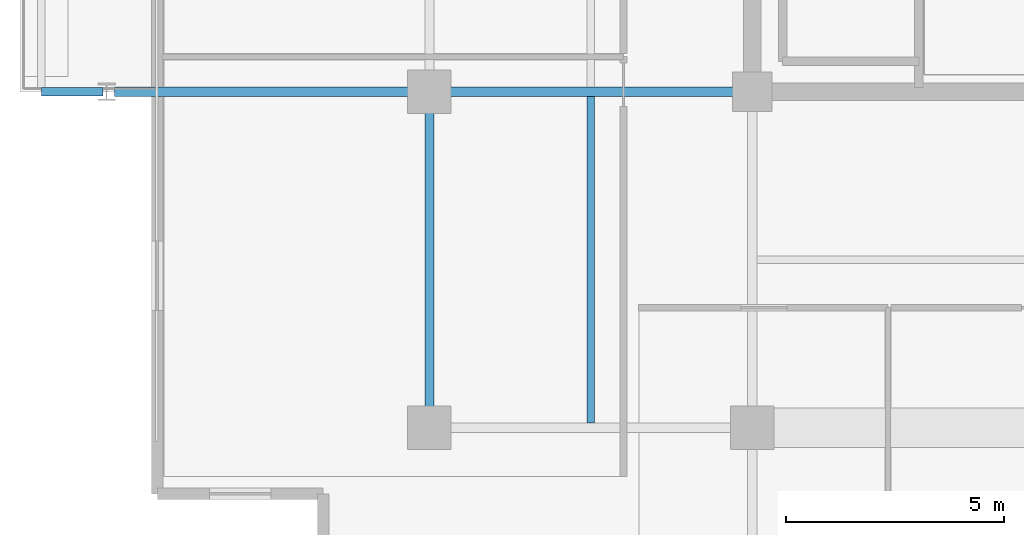
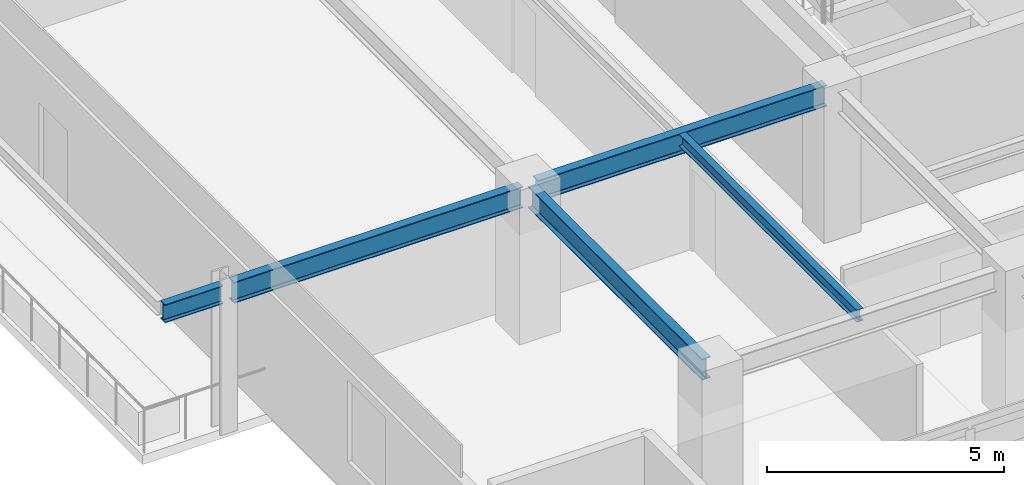
# One storey, part 3 of 20: 5 beams.
"""IFC4 building model written with IfcOpenShell, lengths in metres."""

from ifc_helpers import new_model, si_unit, direction, frame, origin, origin_2d, place, context, subcontext, project, spatial, i_section, extrude, material, material_profile, profile_set, type_object, element, save


model = new_model("IFC4")

# Units and contexts
model_context = context("Model", 3, precision=1e-05, world=origin(), true_north=direction((0.0, 1.0)))
body_context = subcontext(model_context, "Body", "Model", "MODEL_VIEW")
ifc_project = project(units=[si_unit("LENGTHUNIT", "METRE"), si_unit("AREAUNIT", "SQUARE_METRE"), si_unit("VOLUMEUNIT", "CUBIC_METRE"), si_unit("PLANEANGLEUNIT", "RADIAN"), si_unit("MASSUNIT", "GRAM", prefix="KILO")], contexts=[model_context])

# Site, building, storey
site_placement = place(None, origin())
site = spatial("IfcSite", under=ifc_project, at=site_placement, CompositionType="ELEMENT")
building_placement = place(site_placement, origin())
building = spatial("IfcBuilding", under=site, at=building_placement, Name="Kovane Verandah Tower", CompositionType="ELEMENT")
storey_placement = place(building_placement, frame((0.0, 0.0, 330.800048828125)))
storey = spatial("IfcBuildingStorey", under=building, at=storey_placement, Name="L77", CompositionType="ELEMENT", Elevation=330.800048828125)

# Beams
ifc_material = material(Name="Steel S355", Category="steel")
ifc_material_profile_1 = material_profile(ifc_material, i_section(OverallWidth=0.2119140625, OverallDepth=0.54443359375, WebThickness=0.0126953125, FlangeThickness=0.021240234375, FilletRadius=0.0126953125, at=origin_2d()), Name="UB533x210x122")
ifc_profile_set_1 = profile_set([ifc_material_profile_1], Name="Steel S355")
beam_type_1 = type_object("IfcBeamType", Name="BM-UB533x122", PredefinedType="BEAM", material=ifc_profile_set_1)
beam_1_placement = place(storey_placement, frame((21.60009765625, 10.97998046875, 3.5126953125), z_axis=(0.0, 1.0, 0.0), x_axis=(-1.0, 0.0, 0.0)))
element("IfcBeam", 1, at=beam_1_placement, inside=storey, type_object=beam_type_1, Name="L77 Primary Tower Girder G-RW1", PredefinedType="BEAM", context=body_context, shape_type="SweptSolid", body=[
    extrude(i_section(OverallWidth=0.2119140625, OverallDepth=0.54443359375, WebThickness=0.0126953125, FlangeThickness=0.021240234375, FilletRadius=0.0126953125, at=origin_2d()), origin(), (0.0, 0.0, 1.0), 7.340087890625),
])
for number, where, z_axis, x_axis, name in (
    (2, (28.820068359375, 18.5, 3.5126953125), (-1.0, 0.0, 0.0), (0.0, -1.0, 0.0), "L77 Primary Tower Girder G-W1"),
    (3, (21.419921875, 18.5, 3.48779296875), (-1.0, 0.0, 0.0), (0.0, -1.0, 0.0), "L77 Primary Tower Girder G-VW1"),
):
    element("IfcBeam", number, at=place(storey_placement, frame(where, z_axis=z_axis, x_axis=x_axis)), inside=storey, type_object=beam_type_1, Name=name, PredefinedType="BEAM", context=body_context, shape_type="SweptSolid", body=[
        extrude(i_section(OverallWidth=0.2119140625, OverallDepth=0.54443359375, WebThickness=0.0126953125, FlangeThickness=0.021240234375, FilletRadius=0.0126953125, at=origin_2d()), origin(), (0.0, 0.0, 1.0), 7.0400390625),
    ])
ifc_material_profile_2 = material_profile(ifc_material, i_section(OverallWidth=0.1669921875, OverallDepth=0.310302734375, WebThickness=0.0078125, FlangeThickness=0.013671875, FilletRadius=0.0087890625, at=origin_2d()), Name="UB305x165x54")
ifc_profile_set_2 = profile_set([ifc_material_profile_2], Name="Steel S355")
beam_type_2 = type_object("IfcBeamType", Name="JST-UB305x54", PredefinedType="JOIST", material=ifc_profile_set_2)
beam_2_placement = place(storey_placement, frame((25.300048828125, 10.904052734375, 3.629638671875), z_axis=(0.0, 1.0, 0.0), x_axis=(-1.0, 0.0, 0.0)))
element("IfcBeam", 4, at=beam_2_placement, inside=storey, type_object=beam_type_2, Name="L77 Secondary Composite Joist J-SW1", PredefinedType="JOIST", context=body_context, shape_type="SweptSolid", body=[
    extrude(i_section(OverallWidth=0.1669921875, OverallDepth=0.310302734375, WebThickness=0.0078125, FlangeThickness=0.013671875, FilletRadius=0.0087890625, at=origin_2d()), origin(), (0.0, 0.0, 1.0), 7.491943359375),
])
ifc_material_profile_3 = material_profile(ifc_material, i_section(OverallWidth=0.19287109375, OverallDepth=0.46728515625, WebThickness=0.011474609375, FlangeThickness=0.01953125, FilletRadius=0.01025390625, at=origin_2d()), Name="UB457x191x98")
ifc_profile_set_3 = profile_set([ifc_material_profile_3], Name="Steel S355")
beam_type_3 = type_object("IfcBeamType", Name="JST-UB457x98", PredefinedType="JOIST", material=ifc_profile_set_3)
beam_3_placement = place(storey_placement, frame((14.1201171875, 18.5, 3.5263671875), z_axis=(-1.0, 0.0, 0.0), x_axis=(0.0, -1.0, 0.0)))
element("IfcBeam", 5, at=beam_3_placement, inside=storey, type_object=beam_type_3, Name="L77 West Planter Girder 1", PredefinedType="JOIST", context=body_context, shape_type="SweptSolid", body=[
    extrude(i_section(OverallWidth=0.19287109375, OverallDepth=0.46728515625, WebThickness=0.011474609375, FlangeThickness=0.01953125, FilletRadius=0.01025390625, at=origin_2d()), origin(), (0.0, 0.0, 1.0), 1.41455078125),
])

save(model, "model.ifc")
